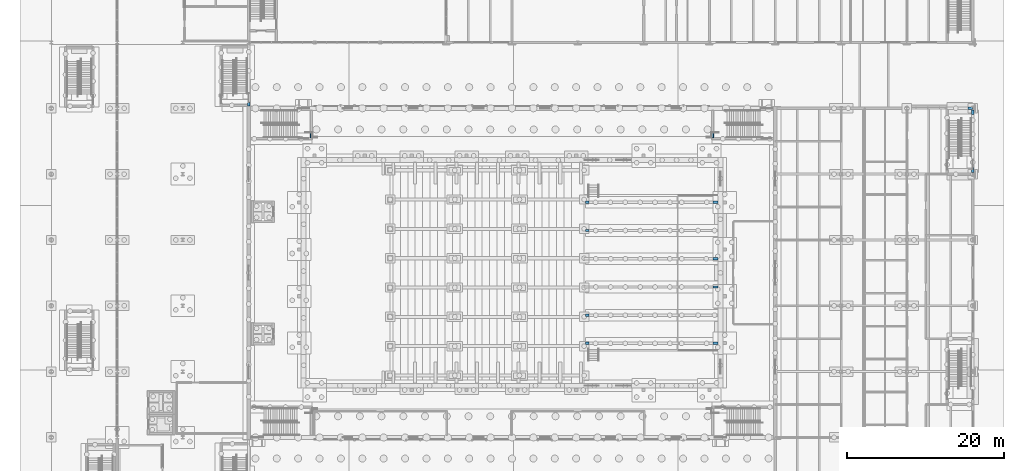
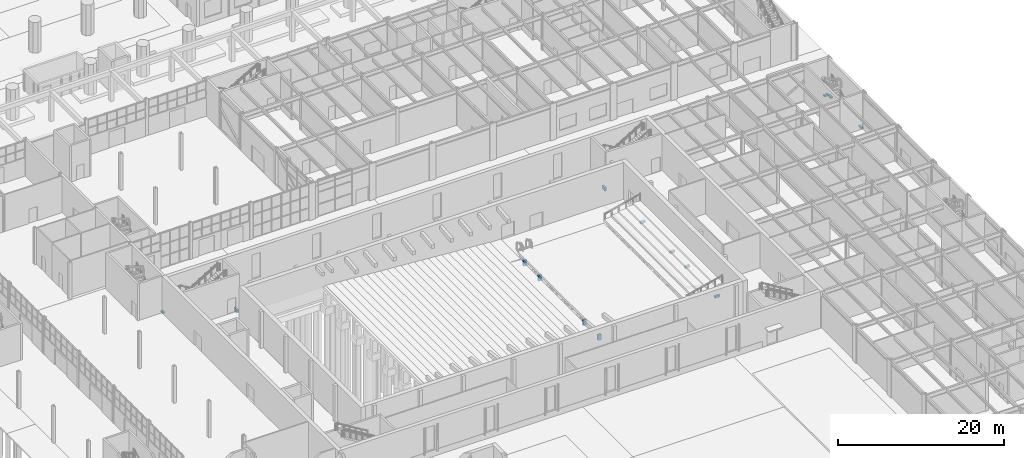
# One storey, part 77 of 127: 14 walls.
"""IFC4 building model written with IfcOpenShell, lengths in metres."""

import ifcopenshell
import ifcopenshell.guid

model = None  # the IFC model being written
_history = None  # IfcOwnerHistory: only IFC2X3 demands one
_inside = {}  # id of a spatial element -> (the spatial element, [elements in it])
_under = {}  # id of a project, library or spatial element -> (it, [spatial elements below it])
_declared = {}  # id of a project -> (the project, [libraries it declares])
_typed = {}  # id of a type object -> (the type object, [elements of that type])
_made_of = {}  # id of a material, layer set ... -> (it, [elements and type objects made of it])


def new_model(schema):
    """Start an empty IFC model of exactly this schema.

    Asked for "IFC4X3", IfcOpenShell would pick the latest addendum, in which some entities
    have other attributes; the version numbers below select the first issue.
    IFC2X3 requires an IfcOwnerHistory on every rooted entity: one is made here for all.
    """
    global model, _history
    if schema == "IFC4X3":
        model = ifcopenshell.file(schema_version=(4, 3, 0, 0))
    else:
        model = ifcopenshell.file(schema=schema)
    _inside.clear()
    _under.clear()
    _declared.clear()
    _typed.clear()
    _made_of.clear()
    _history = None
    if model.schema == "IFC2X3":
        org = make("IfcOrganization", Name="unknown")
        user = make(
            "IfcPersonAndOrganization",
            ThePerson=make("IfcPerson", FamilyName="unknown"),
            TheOrganization=org,
        )
        app = make(
            "IfcApplication",
            ApplicationDeveloper=org,
            Version="unknown",
            ApplicationFullName="unknown",
            ApplicationIdentifier="unknown",
        )
        _history = make(
            "IfcOwnerHistory",
            OwningUser=user,
            OwningApplication=app,
            ChangeAction="ADDED",
            CreationDate=0,
        )
    return model


def make(cls, **values):
    """One entity of the class cls with the attributes given. An attribute that is None is left unset."""
    return model.create_entity(
        cls, **{name: value for name, value in values.items() if value is not None}
    )


def rooted(cls, **values):
    """An entity with a GlobalId (a new one), such as an element, a storey or a relation."""
    return make(cls, GlobalId=ifcopenshell.guid.new(), OwnerHistory=_history, **values)


def si_unit(unit_type, name, prefix=None):
    """IfcSIUnit, for example si_unit("LENGTHUNIT", "METRE", prefix="MILLI")."""
    return make("IfcSIUnit", UnitType=unit_type, Prefix=prefix, Name=name)


def assignment(units):
    """IfcUnitAssignment: the units of a project."""
    return None if units is None else make("IfcUnitAssignment", Units=units)


def point(xyz):
    """IfcCartesianPoint."""
    return None if xyz is None else make("IfcCartesianPoint", Coordinates=xyz)


def direction(xyz):
    """IfcDirection."""
    return None if xyz is None else make("IfcDirection", DirectionRatios=xyz)


def frame(location, z_axis=None, x_axis=None):
    """IfcAxis2Placement3D, a coordinate frame: its origin and axes. An axis left out is left unset."""
    return make(
        "IfcAxis2Placement3D",
        Location=point(location),
        Axis=direction(z_axis),
        RefDirection=direction(x_axis),
    )


def frame_2d(location, x_axis=None):
    """IfcAxis2Placement2D, a coordinate frame in the plane: its origin and x axis."""
    return make(
        "IfcAxis2Placement2D", Location=point(location), RefDirection=direction(x_axis)
    )


def origin():
    """The frame at (0, 0, 0) with its axes left unset."""
    return frame((0.0, 0.0, 0.0))


def place(relative_to, where):
    """IfcLocalPlacement: puts the frame where relative to a parent placement (None: the world)."""
    return make(
        "IfcLocalPlacement", PlacementRelTo=relative_to, RelativePlacement=where
    )


def context(
    kind, dimensions, precision=None, world=None, true_north=None, identifier=None
):
    """IfcGeometricRepresentationContext, for example the 3D "Model" context."""
    return make(
        "IfcGeometricRepresentationContext",
        ContextIdentifier=identifier,
        ContextType=kind,
        CoordinateSpaceDimension=dimensions,
        Precision=precision,
        WorldCoordinateSystem=world,
        TrueNorth=true_north,
    )


def subcontext(parent, identifier, kind, view, scale=None):
    """IfcGeometricRepresentationSubContext, for example "Body" below "Model"."""
    return make(
        "IfcGeometricRepresentationSubContext",
        ContextIdentifier=identifier,
        ContextType=kind,
        ParentContext=parent,
        TargetScale=scale,
        TargetView=view,
    )


def project(units=None, contexts=None):
    """IfcProject with its units and contexts."""
    return rooted(
        "IfcProject",
        Name="project",
        RepresentationContexts=contexts,
        UnitsInContext=assignment(units),
    )


def spatial(cls, under=None, at=None, **own):
    """A site, building, storey or space (cls), placed at a placement, below another one or the project."""
    s = rooted(cls, ObjectPlacement=at, **own)
    if under is not None:
        _under.setdefault(under.id(), (under, []))[1].append(s)
    return s


def profile(cls, at=None, kind="AREA", **sizes):
    """A parametric profile (cls). Its sizes go by their IFC names, for example OverallWidth=200.0."""
    return make(cls, ProfileType=kind, Position=at, **sizes)


def rectangle(**sizes):
    """IfcRectangleProfileDef."""
    return profile("IfcRectangleProfileDef", **sizes)


def extrude(swept, where, along, depth):
    """IfcExtrudedAreaSolid: the profile swept, set in the frame where, extruded along a direction by depth."""
    return make(
        "IfcExtrudedAreaSolid",
        SweptArea=swept,
        Position=where,
        ExtrudedDirection=direction(along),
        Depth=depth,
    )


def shape(context_of_items, identifier, shape_type, items):
    """IfcShapeRepresentation: the items that make up one representation, for example the "Body"."""
    return make(
        "IfcShapeRepresentation",
        ContextOfItems=context_of_items,
        RepresentationIdentifier=identifier,
        RepresentationType=shape_type,
        Items=items,
    )


def material(Name=None, Category=None):
    """IfcMaterial."""
    return make("IfcMaterial", Name=Name, Category=Category)


def layer(
    of_material, thickness, ventilated=None, Name=None, Category=None, Priority=None
):
    """IfcMaterialLayer: one layer of a wall or slab, of a material (None: an air gap)."""
    return make(
        "IfcMaterialLayer",
        Material=of_material,
        LayerThickness=thickness,
        IsVentilated=ventilated,
        Name=Name,
        Category=Category,
        Priority=Priority,
    )


def layer_set(layers, Name=None):
    """IfcMaterialLayerSet."""
    return make("IfcMaterialLayerSet", MaterialLayers=layers, LayerSetName=Name)


def made_of(thing, what):
    """Note that an element or type object is made of a material, layer set ...; save() writes the relation."""
    if what is not None:
        _made_of.setdefault(what.id(), (what, []))[1].append(thing)
    return thing


def type_object(cls, material=None, **own):
    """A type object (cls), such as IfcWallType, which elements share."""
    return made_of(rooted(cls, **own), material)


def element(
    cls,
    number,
    at=None,
    inside=None,
    cuts=None,
    type_object=None,
    material=None,
    context=None,
    identifier="Body",
    shape_type=None,
    held_by="IfcProductDefinitionShape",
    body=None,
    shapes=None,
    **own,
):
    """One element of the class cls, such as IfcWall. Its Tag is "e" and its number.

    at: its placement. inside: the storey or other place that contains it. cuts: it is an
    opening in that element (IfcRelVoidsElement). A single representation is given by context,
    identifier, shape_type and body (its items); several are given by shapes. held_by: the class
    of the entity that holds the representations. save() writes the other relations.
    """
    e = rooted(cls, Tag="e%d" % number, ObjectPlacement=at, **own)
    if body is not None:
        shapes = [shape(context, identifier, shape_type, body)]
    if shapes is not None:
        e.Representation = make(held_by, Representations=shapes)
    if inside is not None:
        _inside.setdefault(inside.id(), (inside, []))[1].append(e)
    if cuts is not None:
        rooted(
            "IfcRelVoidsElement", RelatingBuildingElement=cuts, RelatedOpeningElement=e
        )
    if type_object is not None:
        _typed.setdefault(type_object.id(), (type_object, []))[1].append(e)
    return made_of(e, material)


def aggregate(whole, parts):
    """IfcRelAggregates: a whole, such as a stair, and the parts it consists of."""
    return rooted("IfcRelAggregates", RelatingObject=whole, RelatedObjects=parts)


def save(model, path):
    """Write the relations noted so far, then the file.

    IfcRelAggregates (storeys below a building ...), IfcRelContainedInSpatialStructure (elements
    in a storey), IfcRelDefinesByType, IfcRelAssociatesMaterial and IfcRelDeclares: one each for
    every whole, place, type object, material and project.
    """
    for whole, parts in _under.values():
        aggregate(whole, parts)
    for where, things in _inside.values():
        rooted(
            "IfcRelContainedInSpatialStructure",
            RelatedElements=things,
            RelatingStructure=where,
        )
    for kind, things in _typed.values():
        rooted("IfcRelDefinesByType", RelatedObjects=things, RelatingType=kind)
    for what, things in _made_of.values():
        rooted("IfcRelAssociatesMaterial", RelatedObjects=things, RelatingMaterial=what)
    for by, libraries in _declared.values():
        rooted("IfcRelDeclares", RelatingContext=by, RelatedDefinitions=libraries)
    model.write(path)


model = new_model("IFC4")

# Units and contexts
model_context = context("Model", 3, precision=1e-05, world=origin(), true_north=direction((0.0, 1.0)))
body_context = subcontext(model_context, "Body", "Model", "MODEL_VIEW")
ifc_project = project(units=[si_unit("LENGTHUNIT", "METRE"), si_unit("AREAUNIT", "SQUARE_METRE"), si_unit("VOLUMEUNIT", "CUBIC_METRE"), si_unit("PLANEANGLEUNIT", "RADIAN"), si_unit("MASSUNIT", "GRAM", prefix="KILO")], contexts=[model_context])

# Site, building, storey
site_placement = place(None, origin())
site = spatial("IfcSite", under=ifc_project, at=site_placement, CompositionType="ELEMENT")
building_placement = place(site_placement, origin())
building = spatial("IfcBuilding", under=site, at=building_placement, Name="Ljudholm Concert House", CompositionType="ELEMENT")
storey_placement = place(building_placement, origin())
storey = spatial("IfcBuildingStorey", under=building, at=storey_placement, Name="L00", CompositionType="ELEMENT", Elevation=0.0)

# Walls
ifc_material_1 = material(Name="Concrete 6,500 psi", Category="concrete")
ifc_layer_1 = layer(ifc_material_1, 0.25)
ifc_layer_set_1 = layer_set([ifc_layer_1], Name="Concrete 6,500 psi")
wall_type_1 = type_object("IfcWallType", Name="RC WALL 250", PredefinedType="SOLIDWALL", material=ifc_layer_set_1)
for number, where, z_axis, x_axis, name in (
    (1, (37.175048828125, 92.64990234375, -0.5), (0.0, 0.0, 1.0), (0.0, 1.0, 0.0), "Wall stem"),
    (2, (88.425048828125, 92.64990234375, -0.5), (0.0, 0.0, 1.0), (0.0, 1.0, 0.0), "Wall stem"),
):
    element("IfcWall", number, at=place(storey_placement, frame(where, z_axis=z_axis, x_axis=x_axis)), inside=storey, type_object=wall_type_1, Name=name, PredefinedType="SOLIDWALL", context=body_context, shape_type="SweptSolid", body=[
        extrude(rectangle(XDim=0.695068359375, YDim=0.25, at=frame_2d((0.34765625, 0.0))), origin(), (0.0, 0.0, 1.0), 0.5),
    ])
ifc_material_2 = material(Name="Concrete 6,500 psi", Category="concrete")
ifc_layer_2 = layer(ifc_material_2, 0.300048828125)
ifc_layer_set_2 = layer_set([ifc_layer_2], Name="Concrete 6,500 psi")
wall_type_2 = type_object("IfcWallType", Name="RC WALL 300", PredefinedType="SOLIDWALL", material=ifc_layer_set_2)
for number, where, z_axis, x_axis, name in (
    (3, (72.14990234375, 66.39990234375, -0.804931640625), (0.0, 0.0, 1.0), (1.0, 0.0, 0.0), "Wall stem"),
    (4, (72.14990234375, 70.0, -0.804931640625), (0.0, 0.0, 1.0), (1.0, 0.0, 0.0), "Wall stem"),
    (5, (72.14990234375, 80.800048828125, -0.804931640625), (0.0, 0.0, 1.0), (1.0, 0.0, 0.0), "Wall stem"),
    (6, (72.14990234375, 84.39990234375, -0.804931640625), (0.0, 0.0, 1.0), (1.0, 0.0, 0.0), "Wall stem"),
):
    element("IfcWall", number, at=place(storey_placement, frame(where, z_axis=z_axis, x_axis=x_axis)), inside=storey, type_object=wall_type_2, Name=name, PredefinedType="SOLIDWALL", context=body_context, shape_type="SweptSolid", body=[
        extrude(rectangle(XDim=0.47021484375, YDim=0.300048828125, at=frame_2d((0.235107421875, 0.0))), origin(), (0.0, 0.0, 1.0), 0.804931640625),
    ])
for number, where, z_axis, x_axis, name in (
    (7, (88.429931640625, 66.39990234375, -0.300048828125), (0.0, 0.0, 1.0), (1.0, 0.0, 0.0), "Wall stem"),
    (8, (88.429931640625, 73.60009765625, -0.300048828125), (0.0, 0.0, 1.0), (1.0, 0.0, 0.0), "Wall stem"),
    (9, (88.429931640625, 77.199951171875, -0.300048828125), (0.0, 0.0, 1.0), (1.0, 0.0, 0.0), "Wall stem"),
    (10, (88.429931640625, 84.39990234375, -0.300048828125), (0.0, 0.0, 1.0), (1.0, 0.0, 0.0), "Wall stem"),
):
    element("IfcWall", number, at=place(storey_placement, frame(where, z_axis=z_axis, x_axis=x_axis)), inside=storey, type_object=wall_type_2, Name=name, PredefinedType="SOLIDWALL", context=body_context, shape_type="SweptSolid", body=[
        extrude(rectangle(XDim=0.670166015625, YDim=0.300048828125, at=frame_2d((0.3349609375, 0.0))), origin(), (0.0, 0.0, 1.0), 0.300048828125),
    ])
for number, where, z_axis, x_axis, name in (
    (11, (121.60009765625, 88.186767578125, -0.25), (0.0, 0.0, 1.0), (0.0, 1.0, 0.0), "Wall stem"),
    (12, (121.60009765625, 95.580078125, -0.25), (0.0, 0.0, 1.0), (0.0, 1.0, 0.0), "Wall stem"),
):
    element("IfcWall", number, at=place(storey_placement, frame(where, z_axis=z_axis, x_axis=x_axis)), inside=storey, type_object=wall_type_2, Name=name, PredefinedType="SOLIDWALL", context=body_context, shape_type="SweptSolid", body=[
        extrude(rectangle(XDim=0.63330078125, YDim=0.300048828125, at=frame_2d((0.316650390625, 0.0))), origin(), (0.0, 0.0, 1.0), 0.25),
    ])
wall_1_placement = place(storey_placement, frame((120.97998046875, 96.39990234375, -0.25), z_axis=(0.0, 0.0, 1.0), x_axis=(1.0, 0.0, 0.0)))
element("IfcWall", 13, at=wall_1_placement, inside=storey, type_object=wall_type_2, Name="Wall stem", PredefinedType="SOLIDWALL", context=body_context, shape_type="SweptSolid", body=[
    extrude(rectangle(XDim=0.61181640625, YDim=0.300048828125, at=frame_2d((0.305908203125, 0.0))), origin(), (0.0, 0.0, 1.0), 0.25),
])
wall_2_placement = place(storey_placement, frame((29.199951171875, 96.669921875, -0.199951171875), z_axis=(0.0, 0.0, 1.0), x_axis=(0.0, 1.0, 0.0)))
element("IfcWall", 14, at=wall_2_placement, inside=storey, type_object=wall_type_2, Name="Wall stem", PredefinedType="SOLIDWALL", context=body_context, shape_type="SweptSolid", body=[
    extrude(rectangle(XDim=0.510009765625, YDim=0.300048828125, at=frame_2d((0.2548828125, 0.0))), origin(), (0.0, 0.0, 1.0), 0.199951171875),
])

save(model, "model.ifc")
